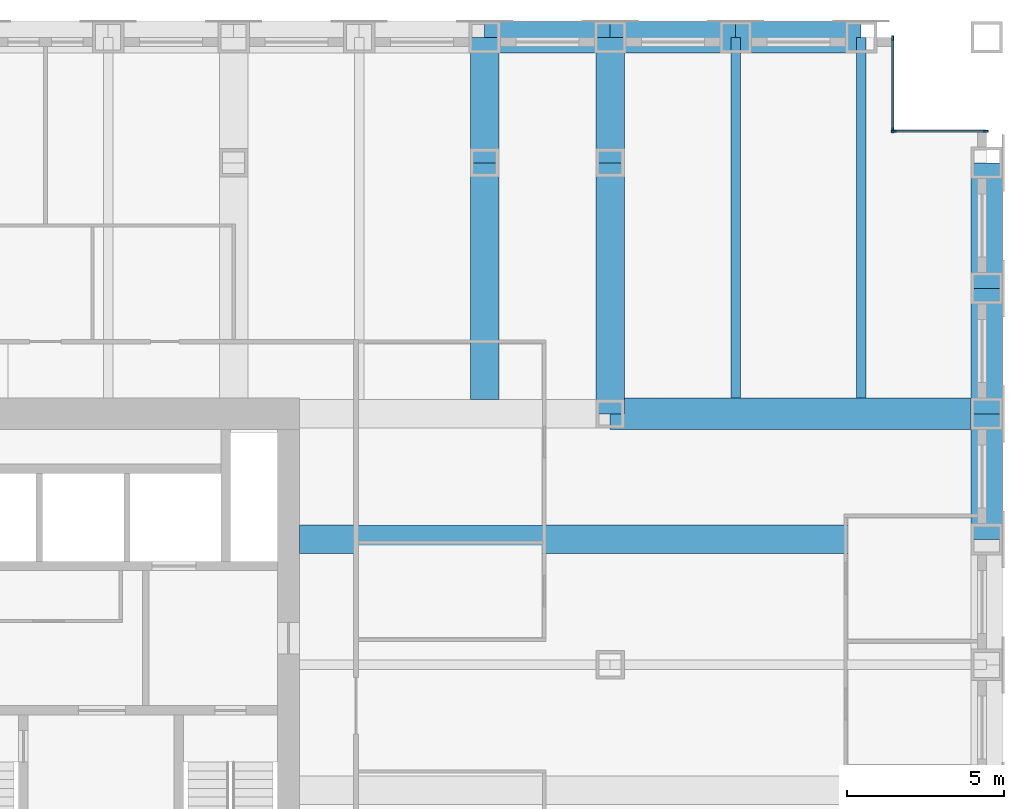
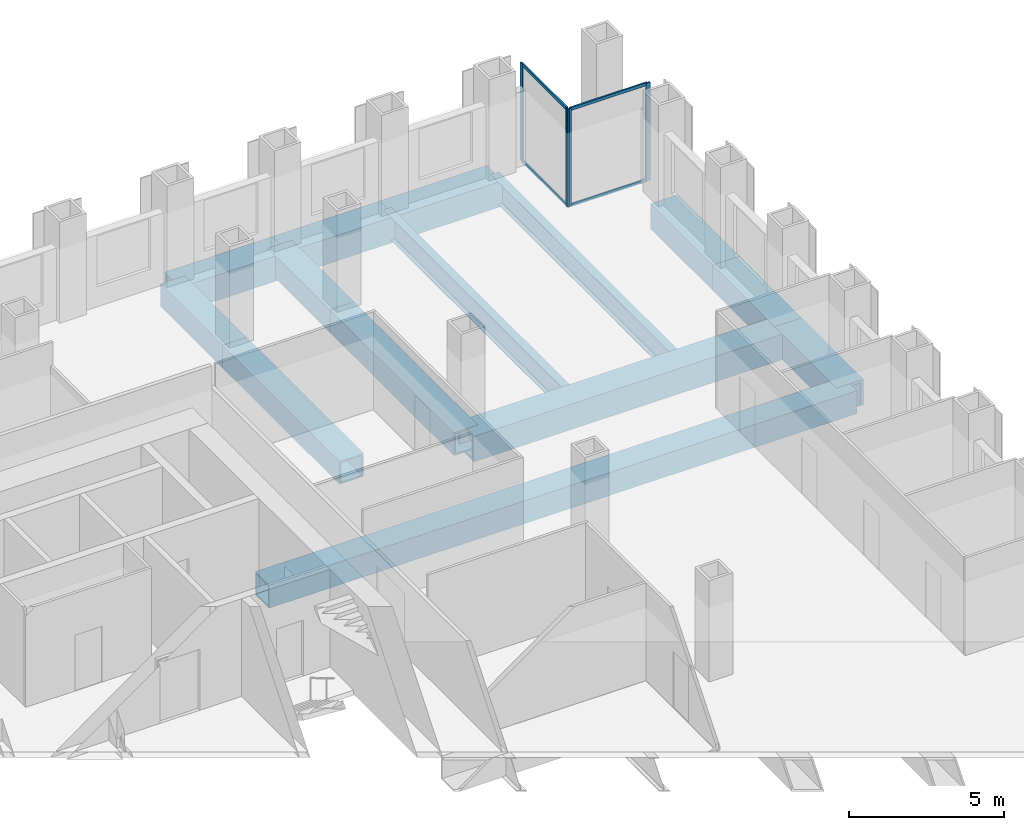
# One storey, part 9 of 16: 14 beams, 8 members, 2 elements without a shape of their own.
"""IFC4 building model written with IfcOpenShell, lengths in metres."""

from ifc_helpers import new_model, si_unit, direction, frame, origin, origin_2d, place, context, subcontext, project, spatial, rectangle, hollow_rectangle, i_section, extrude, material, material_profile, profile_set, type_object, element, aggregate, save


model = new_model("IFC4")

# Units and contexts
model_context = context("Model", 3, precision=1e-05, world=origin(), true_north=direction((0.0, 1.0)))
body_context = subcontext(model_context, "Body", "Model", "MODEL_VIEW")
ifc_project = project(units=[si_unit("LENGTHUNIT", "METRE"), si_unit("AREAUNIT", "SQUARE_METRE"), si_unit("VOLUMEUNIT", "CUBIC_METRE"), si_unit("PLANEANGLEUNIT", "RADIAN"), si_unit("MASSUNIT", "GRAM", prefix="KILO")], contexts=[model_context])

# Site, building, storey
site_placement = place(None, origin())
site = spatial("IfcSite", under=ifc_project, at=site_placement, CompositionType="ELEMENT")
building_placement = place(site_placement, origin())
building = spatial("IfcBuilding", under=site, at=building_placement, Name="Rimbunsela Tower", CompositionType="ELEMENT")
storey_placement = place(building_placement, frame((0.0, 0.0, 85.39990234375)))
storey = spatial("IfcBuildingStorey", under=building, at=storey_placement, Name="L20", CompositionType="ELEMENT", Elevation=85.39990234375)

# Beams
ifc_material_1 = material(Name="Steel BJ 55 (fy 410 MPa)", Category="steel")
ifc_material_profile_1 = material_profile(ifc_material_1, hollow_rectangle(XDim=1.0, YDim=1.0, WallThickness=0.10009765625, at=origin_2d()), Name="BOX 1000x1000x100")
ifc_profile_set_1 = profile_set([ifc_material_profile_1], Name="Steel BJ 55 (fy 410 MPa)")
beam_type_1 = type_object("IfcBeamType", Name="Beam BOX 1000x1000x100", PredefinedType="BEAM", material=ifc_profile_set_1)
beam_1_placement = place(storey_placement, frame((42.0, 48.0, -0.64990234375), z_axis=(1.0, 0.0, 0.0), x_axis=(0.0, 1.0, 0.0)))
element("IfcBeam", 1, at=beam_1_placement, inside=storey, type_object=beam_type_1, Name="Beam B3 L20", PredefinedType="BEAM", context=body_context, shape_type="SweptSolid", body=[
    extrude(hollow_rectangle(XDim=1.0, YDim=1.0, WallThickness=0.10009765625, at=origin_2d()), origin(), (0.0, 0.0, 1.0), 4.0),
])
beam_2_placement = place(storey_placement, frame((46.0, 36.0, -0.64990234375), z_axis=(1.0, 0.0, 0.0), x_axis=(0.0, 1.0, 0.0)))
element("IfcBeam", 2, at=beam_2_placement, inside=storey, type_object=beam_type_1, Name="Beam B3 L20", PredefinedType="BEAM", context=body_context, shape_type="SweptSolid", body=[
    extrude(hollow_rectangle(XDim=1.0, YDim=1.0, WallThickness=0.10009765625, at=origin_2d()), origin(), (0.0, 0.0, 1.0), 12.0),
])
for number, where, z_axis, x_axis, name in (
    (3, (46.0, 48.0, -0.64990234375), (1.0, 0.0, 0.0), (0.0, 1.0, 0.0), "Beam B3 L20"),
    (4, (50.0, 48.0, -0.64990234375), (1.0, 0.0, 0.0), (0.0, 1.0, 0.0), "Beam B3 L20"),
    (5, (58.0, 32.0, -0.64990234375), (0.0, 1.0, 0.0), (-1.0, 0.0, 0.0), "Beam B3 L20"),
    (6, (58.0, 36.0, -0.64990234375), (0.0, 1.0, 0.0), (-1.0, 0.0, 0.0), "Beam B3 L20"),
    (7, (58.0, 40.0, -0.64990234375), (0.0, 1.0, 0.0), (-1.0, 0.0, 0.0), "Beam B3 L20"),
):
    element("IfcBeam", number, at=place(storey_placement, frame(where, z_axis=z_axis, x_axis=x_axis)), inside=storey, type_object=beam_type_1, Name=name, PredefinedType="BEAM", context=body_context, shape_type="SweptSolid", body=[
        extrude(hollow_rectangle(XDim=1.0, YDim=1.0, WallThickness=0.10009765625, at=origin_2d()), origin(), (0.0, 0.0, 1.0), 4.0),
    ])
ifc_material_2 = material(Name="Steel BJ 55 (fy 410 MPa)", Category="steel")
ifc_material_profile_2 = material_profile(ifc_material_2, hollow_rectangle(XDim=0.89990234375, YDim=0.89990234375, WallThickness=0.06005859375, at=origin_2d()), Name="BOX 900x900x60")
ifc_profile_set_2 = profile_set([ifc_material_profile_2], Name="Steel BJ 55 (fy 410 MPa)")
beam_type_2 = type_object("IfcBeamType", Name="Beam BOX 900x900x60", PredefinedType="BEAM", material=ifc_profile_set_2)
beam_3_placement = place(storey_placement, frame((36.10009765625, 32.0, -0.599853515625), z_axis=(1.0, 0.0, 0.0), x_axis=(0.0, 1.0, 0.0)))
element("IfcBeam", 8, at=beam_3_placement, inside=storey, type_object=beam_type_2, Name="Beam B1 L20", PredefinedType="BEAM", context=body_context, shape_type="SweptSolid", body=[
    extrude(hollow_rectangle(XDim=0.89990234375, YDim=0.89990234375, WallThickness=0.06005859375, at=origin_2d()), origin(), (0.0, 0.0, 1.0), 21.89990234375),
])
beam_4_placement = place(storey_placement, frame((42.0, 36.449951171875, -0.599853515625), z_axis=(0.0, 1.0, 0.0), x_axis=(-1.0, 0.0, 0.0)))
element("IfcBeam", 9, at=beam_4_placement, inside=storey, type_object=beam_type_2, Name="Beam B1 L20", PredefinedType="BEAM", context=body_context, shape_type="SweptSolid", body=[
    extrude(hollow_rectangle(XDim=0.89990234375, YDim=0.89990234375, WallThickness=0.06005859375, at=origin_2d()), origin(), (0.0, 0.0, 1.0), 7.550048828125),
])
beam_5_placement = place(storey_placement, frame((42.0, 44.0, -0.599853515625), z_axis=(0.0, 1.0, 0.0), x_axis=(-1.0, 0.0, 0.0)))
element("IfcBeam", 10, at=beam_5_placement, inside=storey, type_object=beam_type_2, Name="Beam B1 L20", PredefinedType="BEAM", context=body_context, shape_type="SweptSolid", body=[
    extrude(hollow_rectangle(XDim=0.89990234375, YDim=0.89990234375, WallThickness=0.06005859375, at=origin_2d()), origin(), (0.0, 0.0, 1.0), 4.0),
])
beam_6_placement = place(storey_placement, frame((46.0, 36.0, -0.599853515625), z_axis=(0.0, 1.0, 0.0), x_axis=(-1.0, 0.0, 0.0)))
element("IfcBeam", 11, at=beam_6_placement, inside=storey, type_object=beam_type_2, Name="Beam B1 L20", PredefinedType="BEAM", context=body_context, shape_type="SweptSolid", body=[
    extrude(hollow_rectangle(XDim=0.89990234375, YDim=0.89990234375, WallThickness=0.06005859375, at=origin_2d()), origin(), (0.0, 0.0, 1.0), 8.0),
])
beam_7_placement = place(storey_placement, frame((46.0, 44.0, -0.599853515625), z_axis=(0.0, 1.0, 0.0), x_axis=(-1.0, 0.0, 0.0)))
element("IfcBeam", 12, at=beam_7_placement, inside=storey, type_object=beam_type_2, Name="Beam B1 L20", PredefinedType="BEAM", context=body_context, shape_type="SweptSolid", body=[
    extrude(hollow_rectangle(XDim=0.89990234375, YDim=0.89990234375, WallThickness=0.06005859375, at=origin_2d()), origin(), (0.0, 0.0, 1.0), 4.0),
])
ifc_material_3 = material(Name="Steel BJ 55 (fy 410 MPa)", Category="steel")
ifc_material_profile_3 = material_profile(ifc_material_3, i_section(OverallWidth=0.300048828125, OverallDepth=0.89990234375, WebThickness=0.01611328125, FlangeThickness=0.028076171875, FilletRadius=0.028076171875, at=origin_2d()), Name="H 900x300x16x28")
ifc_profile_set_3 = profile_set([ifc_material_profile_3], Name="Steel BJ 55 (fy 410 MPa)")
beam_type_3 = type_object("IfcBeamType", Name="Beam H 900x300x16x28", PredefinedType="BEAM", material=ifc_profile_set_3)
for number, where, z_axis, x_axis, name in (
    (13, (50.0, 36.5, -0.599853515625), (0.0, 1.0, 0.0), (-1.0, 0.0, 0.0), "Beam B2 L20"),
    (14, (54.0, 36.5, -0.599853515625), (0.0, 1.0, 0.0), (-1.0, 0.0, 0.0), "Beam B2 L20"),
):
    element("IfcBeam", number, at=place(storey_placement, frame(where, z_axis=z_axis, x_axis=x_axis)), inside=storey, type_object=beam_type_3, Name=name, PredefinedType="BEAM", context=body_context, shape_type="SweptSolid", body=[
        extrude(i_section(OverallWidth=0.300048828125, OverallDepth=0.89990234375, WebThickness=0.01611328125, FlangeThickness=0.028076171875, FilletRadius=0.028076171875, at=origin_2d()), origin(), (0.0, 0.0, 1.0), 11.5),
    ])

# Curtain wall, members
ifc_material_4 = material(Name="Aluminium curtain wall", Category="aluminium")
curtain_wall_type = type_object("IfcCurtainWallType", Name="Corner glazing", PredefinedType="USERDEFINED", material=ifc_material_4)
curtain_wall_1_placement = place(storey_placement, origin())
curtain_wall_1 = element("IfcCurtainWall", 15, at=curtain_wall_1_placement, inside=storey, type_object=curtain_wall_type, Name="Corner glazing L20", ObjectType="CORNER GLAZING", PredefinedType="USERDEFINED")
ifc_material_5 = material(Name="Aluminium mullion", Category="aluminium")
ifc_material_profile_4 = material_profile(ifc_material_5, rectangle(XDim=0.06005859375, YDim=0.159912109375, at=origin_2d()), Name="Mullion 60x160")
ifc_profile_set_4 = profile_set([ifc_material_profile_4], Name="Aluminium mullion")
member_type_1 = type_object("IfcMemberType", Name="Curtain wall mullion 60x160", PredefinedType="MULLION", material=ifc_profile_set_4)
member_1_placement = place(storey_placement, frame((57.969970703125, 45.0, 0.0), z_axis=(0.0, 0.0, 1.0), x_axis=(0.0, -1.0, 0.0)))
member_1 = element("IfcMember", 16, at=member_1_placement, type_object=member_type_1, Name="CW5 mullion 1", PredefinedType="MULLION", context=body_context, shape_type="SweptSolid", body=[
    extrude(rectangle(XDim=0.06005859375, YDim=0.159912109375, at=origin_2d()), origin(), (0.0, 0.0, 1.0), 3.85009765625),
])
member_2_placement = place(storey_placement, frame((55.030029296875, 45.0, 0.0), z_axis=(0.0, 0.0, 1.0), x_axis=(0.0, -1.0, 0.0)))
member_2 = element("IfcMember", 17, at=member_2_placement, type_object=member_type_1, Name="CW5 mullion 2", PredefinedType="MULLION", context=body_context, shape_type="SweptSolid", body=[
    extrude(rectangle(XDim=0.06005859375, YDim=0.159912109375, at=origin_2d()), origin(), (0.0, 0.0, 1.0), 3.85009765625),
])

curtain_wall_2_placement = place(storey_placement, origin())
curtain_wall_2 = element("IfcCurtainWall", 18, at=curtain_wall_2_placement, inside=storey, type_object=curtain_wall_type, Name="Corner glazing L20", ObjectType="CORNER GLAZING", PredefinedType="USERDEFINED")
member_3_placement = place(storey_placement, frame((55.0, 45.030029296875, 0.0), z_axis=(0.0, 0.0, 1.0), x_axis=(-1.0, 0.0, 0.0)))
member_3 = element("IfcMember", 19, at=member_3_placement, type_object=member_type_1, Name="CW5 mullion 1", PredefinedType="MULLION", context=body_context, shape_type="SweptSolid", body=[
    extrude(rectangle(XDim=0.06005859375, YDim=0.159912109375, at=origin_2d()), origin(), (0.0, 0.0, 1.0), 3.85009765625),
])
member_4_placement = place(storey_placement, frame((55.0, 47.969970703125, 0.0), z_axis=(0.0, 0.0, 1.0), x_axis=(-1.0, 0.0, 0.0)))
member_4 = element("IfcMember", 20, at=member_4_placement, type_object=member_type_1, Name="CW5 mullion 2", PredefinedType="MULLION", context=body_context, shape_type="SweptSolid", body=[
    extrude(rectangle(XDim=0.06005859375, YDim=0.159912109375, at=origin_2d()), origin(), (0.0, 0.0, 1.0), 3.85009765625),
])

# Member
ifc_material_6 = material(Name="Aluminium transom", Category="aluminium")
ifc_material_profile_5 = material_profile(ifc_material_6, rectangle(XDim=0.06005859375, YDim=0.1201171875, at=origin_2d()), Name="Transom 60x120")
ifc_profile_set_5 = profile_set([ifc_material_profile_5], Name="Aluminium transom")
member_type_2 = type_object("IfcMemberType", Name="Curtain wall transom 60x120", PredefinedType="USERDEFINED", material=ifc_profile_set_5)
member_5_placement = place(storey_placement, frame((57.93994140625, 45.0, 0.030029296875), z_axis=(-1.0, 0.0, 0.0), x_axis=(0.0, -1.0, 0.0)))
member_5 = element("IfcMember", 21, at=member_5_placement, type_object=member_type_2, Name="CW5 transom 1.1", ObjectType="TRANSOM", PredefinedType="USERDEFINED", context=body_context, shape_type="SweptSolid", body=[
    extrude(rectangle(XDim=0.06005859375, YDim=0.1201171875, at=origin_2d()), origin(), (0.0, 0.0, 1.0), 2.8798828125),
])

member_6_placement = place(storey_placement, frame((57.93994140625, 45.0, 3.820068359375), z_axis=(-1.0, 0.0, 0.0), x_axis=(0.0, -1.0, 0.0)))
member_6 = element("IfcMember", 22, at=member_6_placement, type_object=member_type_2, Name="CW5 transom 1.2", ObjectType="TRANSOM", PredefinedType="USERDEFINED", context=body_context, shape_type="SweptSolid", body=[
    extrude(rectangle(XDim=0.06005859375, YDim=0.1201171875, at=origin_2d()), origin(), (0.0, 0.0, 1.0), 2.8798828125),
])

aggregate(curtain_wall_1, [member_1, member_2, member_5, member_6])

member_7_placement = place(storey_placement, frame((55.0, 45.06005859375, 0.030029296875), z_axis=(0.0, 1.0, 0.0), x_axis=(-1.0, 0.0, 0.0)))
member_7 = element("IfcMember", 23, at=member_7_placement, type_object=member_type_2, Name="CW5 transom 1.1", ObjectType="TRANSOM", PredefinedType="USERDEFINED", context=body_context, shape_type="SweptSolid", body=[
    extrude(rectangle(XDim=0.06005859375, YDim=0.1201171875, at=origin_2d()), origin(), (0.0, 0.0, 1.0), 2.8798828125),
])

member_8_placement = place(storey_placement, frame((55.0, 45.06005859375, 3.820068359375), z_axis=(0.0, 1.0, 0.0), x_axis=(-1.0, 0.0, 0.0)))
member_8 = element("IfcMember", 24, at=member_8_placement, type_object=member_type_2, Name="CW5 transom 1.2", ObjectType="TRANSOM", PredefinedType="USERDEFINED", context=body_context, shape_type="SweptSolid", body=[
    extrude(rectangle(XDim=0.06005859375, YDim=0.1201171875, at=origin_2d()), origin(), (0.0, 0.0, 1.0), 2.8798828125),
])

aggregate(curtain_wall_2, [member_3, member_4, member_7, member_8])

save(model, "model.ifc")
